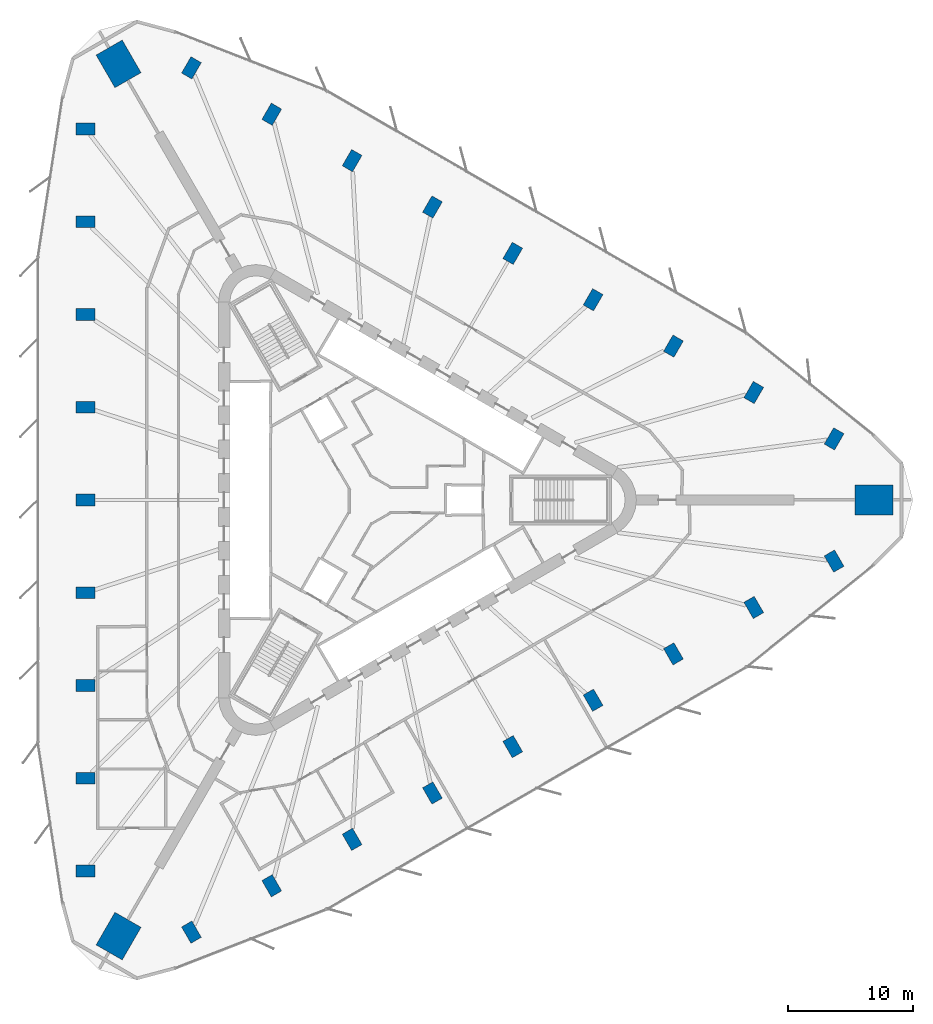
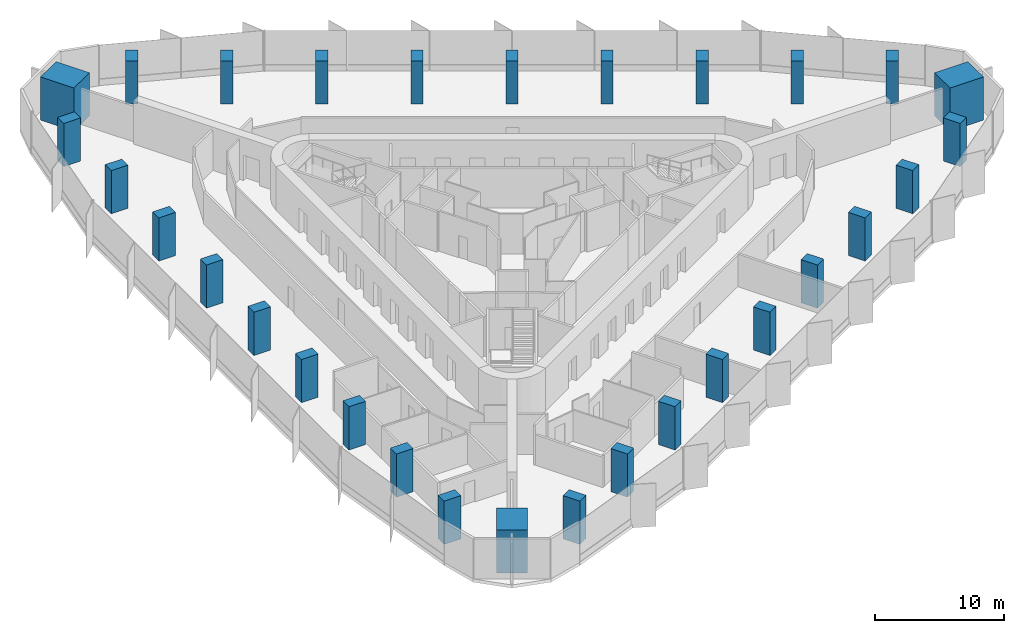
# One storey, part 1 of 15: 30 columns.
"""IFC4 building model written with IfcOpenShell, lengths in metres."""

from ifc_helpers import new_model, si_unit, direction, frame, origin, origin_2d, place, context, subcontext, project, spatial, rectangle, extrude, material, material_profile, profile_set, type_object, element, save


model = new_model("IFC4")

# Units and contexts
model_context = context("Model", 3, precision=1e-05, world=origin(), true_north=direction((0.0, 1.0)))
body_context = subcontext(model_context, "Body", "Model", "MODEL_VIEW")
ifc_project = project(units=[si_unit("LENGTHUNIT", "METRE"), si_unit("AREAUNIT", "SQUARE_METRE"), si_unit("VOLUMEUNIT", "CUBIC_METRE"), si_unit("PLANEANGLEUNIT", "RADIAN"), si_unit("MASSUNIT", "GRAM", prefix="KILO")], contexts=[model_context])

# Site, building, storey
site_placement = place(None, origin())
site = spatial("IfcSite", under=ifc_project, at=site_placement, CompositionType="ELEMENT")
building_placement = place(site_placement, origin())
building = spatial("IfcBuilding", under=site, at=building_placement, Name="Tanit Gate Tower", CompositionType="ELEMENT")
storey_placement = place(building_placement, frame((0.0, 0.0, 139.800048828125)))
storey = spatial("IfcBuildingStorey", under=building, at=storey_placement, Name="L30", CompositionType="ELEMENT", Elevation=139.800048828125)

# Columns
ifc_material_1 = material(Name="Concrete C70/85", Category="concrete")
ifc_material_profile_1 = material_profile(ifc_material_1, rectangle(XDim=3.0, YDim=2.39990234375, at=origin_2d()), Name="RC 3000x2400")
ifc_profile_set_1 = profile_set([ifc_material_profile_1], Name="Concrete C70/85")
column_type_1 = type_object("IfcColumnType", Name="MEGA COLUMN 3000x2400 C70/85", PredefinedType="COLUMN", material=ifc_profile_set_1)
for number, where, z_axis, x_axis, name in (
    (1, (40.127685546875, 0.0, 0.0), (0.0, 0.0, 1.0), (1.0, 0.0, 0.0), "MEGA COLUMN"),
    (2, (-20.06396484375, 34.751708984375, 0.0), (0.0, 0.0, 1.0), (-0.5, 0.866025403784, 0.0), "MEGA COLUMN"),
    (3, (-20.06396484375, -34.751708984375, 0.0), (0.0, 0.0, 1.0), (-0.5, -0.866025403784, 0.0), "MEGA COLUMN"),
):
    element("IfcColumn", number, at=place(storey_placement, frame(where, z_axis=z_axis, x_axis=x_axis)), inside=storey, type_object=column_type_1, Name=name, PredefinedType="COLUMN", context=body_context, shape_type="SweptSolid", body=[
        extrude(rectangle(XDim=3.0, YDim=2.39990234375, at=origin_2d()), origin(), (0.0, 0.0, 1.0), 4.099853515625),
    ])
ifc_material_2 = material(Name="Concrete C60/75", Category="concrete")
ifc_material_profile_2 = material_profile(ifc_material_2, rectangle(XDim=1.5, YDim=0.949951171875, at=origin_2d()), Name="RC 1500x950")
ifc_profile_set_2 = profile_set([ifc_material_profile_2], Name="Concrete C60/75")
column_type_2 = type_object("IfcColumnType", Name="PERIMETER COLUMN 1500x950 C60/75", PredefinedType="COLUMN", material=ifc_profile_set_2)
for number, where, z_axis, x_axis, name in (
    (4, (-22.69140625, 29.56591796875, 0.0), (0.0, 0.0, 1.0), (-1.0, 0.0, 0.0), "PERIMETER COLUMN"),
    (5, (-22.69140625, 22.17431640625, 0.0), (0.0, 0.0, 1.0), (-1.0, 0.0, 0.0), "PERIMETER COLUMN"),
    (6, (-22.69140625, 14.782958984375, 0.0), (0.0, 0.0, 1.0), (-1.0, 0.0, 0.0), "PERIMETER COLUMN"),
    (7, (-22.69140625, 7.391357421875, 0.0), (0.0, 0.0, 1.0), (-1.0, 0.0, 0.0), "PERIMETER COLUMN"),
    (8, (-22.69140625, 0.0, 0.0), (0.0, 0.0, 1.0), (-1.0, 0.0, 0.0), "PERIMETER COLUMN"),
    (9, (-22.69140625, -7.391357421875, 0.0), (0.0, 0.0, 1.0), (-1.0, 0.0, 0.0), "PERIMETER COLUMN"),
    (10, (-22.69140625, -14.782958984375, 0.0), (0.0, 0.0, 1.0), (-1.0, 0.0, 0.0), "PERIMETER COLUMN"),
    (11, (-22.69140625, -22.17431640625, 0.0), (0.0, 0.0, 1.0), (-1.0, 0.0, 0.0), "PERIMETER COLUMN"),
    (12, (-22.69140625, -29.56591796875, 0.0), (0.0, 0.0, 1.0), (-1.0, 0.0, 0.0), "PERIMETER COLUMN"),
    (13, (36.950439453125, 4.868408203125, 0.0), (0.0, 0.0, 1.0), (0.5, 0.866025403784, 0.0), "PERIMETER COLUMN"),
    (14, (30.54931640625, 8.564208984375, 0.0), (0.0, 0.0, 1.0), (0.5, 0.866025403784, 0.0), "PERIMETER COLUMN"),
    (15, (24.14794921875, 12.259765625, 0.0), (0.0, 0.0, 1.0), (0.5, 0.866025403784, 0.0), "PERIMETER COLUMN"),
    (16, (17.746826171875, 15.95556640625, 0.0), (0.0, 0.0, 1.0), (0.5, 0.866025403784, 0.0), "PERIMETER COLUMN"),
    (17, (11.345703125, 19.6513671875, 0.0), (0.0, 0.0, 1.0), (0.5, 0.866025403784, 0.0), "PERIMETER COLUMN"),
    (18, (4.944580078125, 23.346923828125, 0.0), (0.0, 0.0, 1.0), (0.5, 0.866025403784, 0.0), "PERIMETER COLUMN"),
    (19, (-1.456787109375, 27.042724609375, 0.0), (0.0, 0.0, 1.0), (0.5, 0.866025403784, 0.0), "PERIMETER COLUMN"),
    (20, (-7.85791015625, 30.73828125, 0.0), (0.0, 0.0, 1.0), (0.5, 0.866025403784, 0.0), "PERIMETER COLUMN"),
    (21, (-14.259033203125, 34.43408203125, 0.0), (0.0, 0.0, 1.0), (0.5, 0.866025403784, 0.0), "PERIMETER COLUMN"),
    (22, (-14.259033203125, -34.43408203125, 0.0), (0.0, 0.0, 1.0), (0.5, -0.866025403784, 0.0), "PERIMETER COLUMN"),
    (23, (-7.85791015625, -30.73828125, 0.0), (0.0, 0.0, 1.0), (0.5, -0.866025403784, 0.0), "PERIMETER COLUMN"),
    (24, (-1.456787109375, -27.042724609375, 0.0), (0.0, 0.0, 1.0), (0.5, -0.866025403784, 0.0), "PERIMETER COLUMN"),
    (25, (4.944580078125, -23.346923828125, 0.0), (0.0, 0.0, 1.0), (0.5, -0.866025403784, 0.0), "PERIMETER COLUMN"),
    (26, (11.345703125, -19.6513671875, 0.0), (0.0, 0.0, 1.0), (0.5, -0.866025403784, 0.0), "PERIMETER COLUMN"),
    (27, (17.746826171875, -15.95556640625, 0.0), (0.0, 0.0, 1.0), (0.5, -0.866025403784, 0.0), "PERIMETER COLUMN"),
    (28, (24.14794921875, -12.259765625, 0.0), (0.0, 0.0, 1.0), (0.5, -0.866025403784, 0.0), "PERIMETER COLUMN"),
    (29, (30.54931640625, -8.564208984375, 0.0), (0.0, 0.0, 1.0), (0.5, -0.866025403784, 0.0), "PERIMETER COLUMN"),
    (30, (36.950439453125, -4.868408203125, 0.0), (0.0, 0.0, 1.0), (0.5, -0.866025403784, 0.0), "PERIMETER COLUMN"),
):
    element("IfcColumn", number, at=place(storey_placement, frame(where, z_axis=z_axis, x_axis=x_axis)), inside=storey, type_object=column_type_2, Name=name, PredefinedType="COLUMN", context=body_context, shape_type="SweptSolid", body=[
        extrude(rectangle(XDim=1.5, YDim=0.949951171875, at=origin_2d()), origin(), (0.0, 0.0, 1.0), 4.099853515625),
    ])

save(model, "model.ifc")
